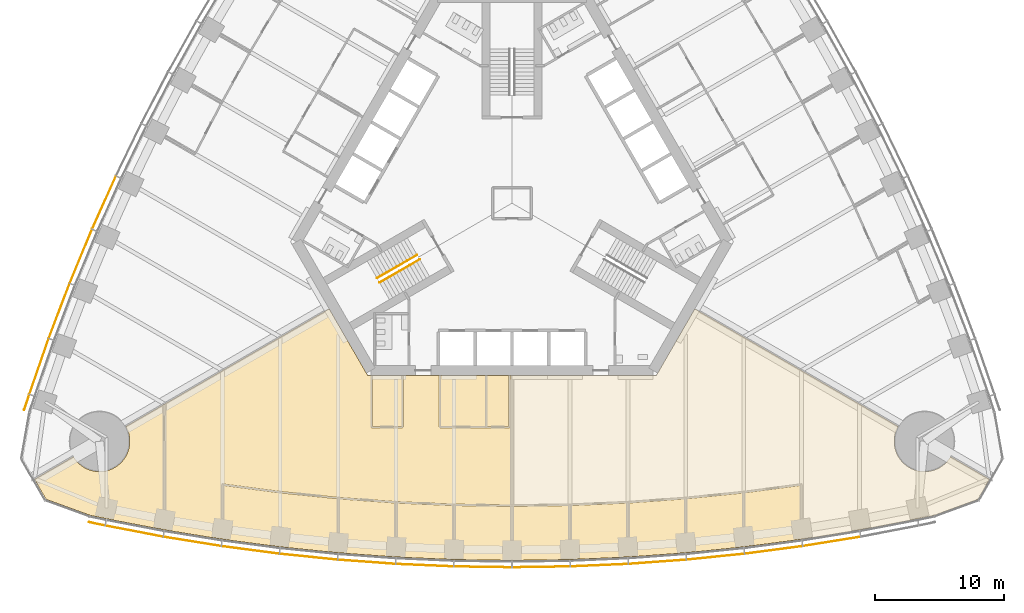
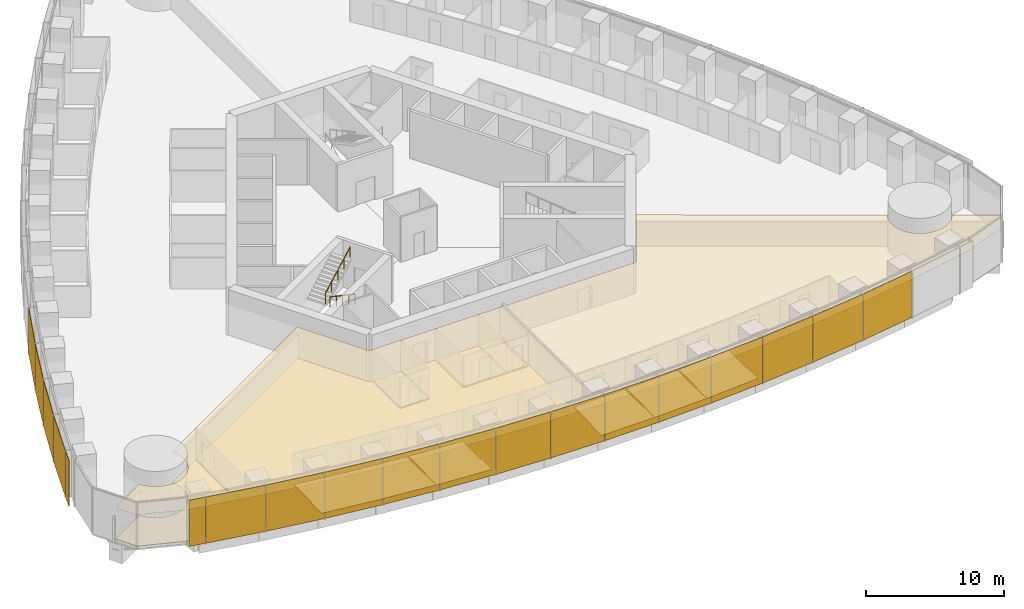
# One storey, part 15 of 19: 19 shading devices, 15 coverings, 2 railings.
"""IFC4 building model written with IfcOpenShell, lengths in metres."""

from ifc_helpers import new_model, si_unit, direction, frame, origin, origin_2d, place, context, subcontext, project, spatial, polyline, rectangle, circle, outline, extrude, material, layer, layer_set, type_object, element, save


model = new_model("IFC4")

# Units and contexts
model_context = context("Model", 3, precision=1e-05, world=origin(), true_north=direction((0.0, 1.0)))
body_context = subcontext(model_context, "Body", "Model", "MODEL_VIEW")
ifc_project = project(units=[si_unit("LENGTHUNIT", "METRE"), si_unit("AREAUNIT", "SQUARE_METRE"), si_unit("VOLUMEUNIT", "CUBIC_METRE"), si_unit("PLANEANGLEUNIT", "RADIAN"), si_unit("MASSUNIT", "GRAM", prefix="KILO")], contexts=[model_context])

# Site, building, storey
site_placement = place(None, origin())
site = spatial("IfcSite", under=ifc_project, at=site_placement, CompositionType="ELEMENT")
building_placement = place(site_placement, origin())
building = spatial("IfcBuilding", under=site, at=building_placement, Name="Trefoil Bronze Tower", CompositionType="ELEMENT")
storey_placement = place(building_placement, frame((0.0, 0.0, 16.5)))
storey = spatial("IfcBuildingStorey", under=building, at=storey_placement, Name="L03", CompositionType="ELEMENT", Elevation=16.5)

# Shading devices
ifc_material_1 = material(Name="Perforated bronze sheet", Category="bronze")
ifc_layer_1 = layer(ifc_material_1, 0.0400390625)
ifc_layer_set_1 = layer_set([ifc_layer_1], Name="Bronze solar screen panel")
shading_device_type = type_object("IfcShadingDeviceType", Name="Bronze solar screen panel", PredefinedType="SHUTTER", material=ifc_layer_set_1)
shading_device_1_placement = place(storey_placement, frame((-32.2431640625, -24.91064453125, 0.050048828125), z_axis=(0.0, 0.0, 1.0), x_axis=(0.978302717041, -0.207180582657, 0.0)))
element("IfcShadingDevice", 1, at=shading_device_1_placement, inside=storey, type_object=shading_device_type, Name="Solar screen CW-A L03 F1 bay 1", PredefinedType="SHUTTER", context=body_context, shape_type="SweptSolid", body=[
    extrude(rectangle(XDim=1.260498046875, YDim=0.0400390625, at=origin_2d()), origin(), (0.0, 0.0, 1.0), 4.10009765625),
])
shading_device_2_placement = place(storey_placement, frame((-29.351806640625, -25.478515625, 0.050048828125), z_axis=(0.0, 0.0, 1.0), x_axis=(0.982049823817, -0.188621694249, 0.0)))
element("IfcShadingDevice", 2, at=shading_device_2_placement, inside=storey, type_object=shading_device_type, Name="Solar screen CW-A L03 F1 bay 2", PredefinedType="SHUTTER", context=body_context, shape_type="SweptSolid", body=[
    extrude(rectangle(XDim=4.55224609375, YDim=0.0400390625, at=origin_2d()), origin(), (0.0, 0.0, 1.0), 4.10009765625),
])
shading_device_3_placement = place(storey_placement, frame((-24.836181640625, -26.277099609375, 0.050048828125), z_axis=(0.0, 0.0, 1.0), x_axis=(0.987181315145, -0.159602791421, 0.0)))
element("IfcShadingDevice", 3, at=shading_device_3_placement, inside=storey, type_object=shading_device_type, Name="Solar screen CW-A L03 F1 bay 3", PredefinedType="SHUTTER", context=body_context, shape_type="SweptSolid", body=[
    extrude(rectangle(XDim=4.5283203125, YDim=0.0400390625, at=origin_2d()), origin(), (0.0, 0.0, 1.0), 4.10009765625),
])
shading_device_4_placement = place(storey_placement, frame((-20.320556640625, -26.939697265625, 0.050048828125), z_axis=(0.0, 0.0, 1.0), x_axis=(0.991437251591, -0.130583981243, 0.0)))
element("IfcShadingDevice", 4, at=shading_device_4_placement, inside=storey, type_object=shading_device_type, Name="Solar screen CW-A L03 F1 bay 4", PredefinedType="SHUTTER", context=body_context, shape_type="SweptSolid", body=[
    extrude(rectangle(XDim=4.5087890625, YDim=0.0400390625, at=origin_2d()), origin(), (0.0, 0.0, 1.0), 4.10009765625),
])
shading_device_5_placement = place(storey_placement, frame((-15.804931640625, -27.467529296875, 0.050048828125), z_axis=(0.0, 0.0, 1.0), x_axis=(0.994828880293, -0.101565244717, 0.0)))
element("IfcShadingDevice", 5, at=shading_device_5_placement, inside=storey, type_object=shading_device_type, Name="Solar screen CW-A L03 F1 bay 5", PredefinedType="SHUTTER", context=body_context, shape_type="SweptSolid", body=[
    extrude(rectangle(XDim=4.493408203125, YDim=0.0400390625, at=origin_2d()), origin(), (0.0, 0.0, 1.0), 4.10009765625),
])
shading_device_6_placement = place(storey_placement, frame((-11.2890625, -27.8623046875, 0.050048828125), z_axis=(0.0, 0.0, 1.0), x_axis=(0.99736502647, -0.072546564177, 0.0)))
element("IfcShadingDevice", 6, at=shading_device_6_placement, inside=storey, type_object=shading_device_type, Name="Solar screen CW-A L03 F1 bay 6", PredefinedType="SHUTTER", context=body_context, shape_type="SweptSolid", body=[
    extrude(rectangle(XDim=4.48193359375, YDim=0.0400390625, at=origin_2d()), origin(), (0.0, 0.0, 1.0), 4.10009765625),
])
shading_device_7_placement = place(storey_placement, frame((-6.7734375, -28.124755859375, 0.050048828125), z_axis=(0.0, 0.0, 1.0), x_axis=(0.999052210809, -0.043527922969, 0.0)))
element("IfcShadingDevice", 7, at=shading_device_7_placement, inside=storey, type_object=shading_device_type, Name="Solar screen CW-A L03 F1 bay 7", PredefinedType="SHUTTER", context=body_context, shape_type="SweptSolid", body=[
    extrude(rectangle(XDim=4.474365234375, YDim=0.0400390625, at=origin_2d()), origin(), (0.0, 0.0, 1.0), 4.10009765625),
])
for number, where, z_axis, x_axis, name in (
    (8, (-2.2578125, -28.256103515625, 0.050048828125), (0.0, 0.0, 1.0), (0.999894734493, -0.014509305083, 0.0), "Solar screen CW-A L03 F1 bay 8"),
    (9, (2.2578125, -28.256103515625, 0.050048828125), (0.0, 0.0, 1.0), (0.999894734493, 0.014509305083, 0.0), "Solar screen CW-A L03 F1 bay 9"),
):
    element("IfcShadingDevice", number, at=place(storey_placement, frame(where, z_axis=z_axis, x_axis=x_axis)), inside=storey, type_object=shading_device_type, Name=name, PredefinedType="SHUTTER", context=body_context, shape_type="SweptSolid", body=[
        extrude(rectangle(XDim=4.470458984375, YDim=0.0400390625, at=origin_2d()), origin(), (0.0, 0.0, 1.0), 4.10009765625),
    ])
shading_device_8_placement = place(storey_placement, frame((6.7734375, -28.124755859375, 0.050048828125), z_axis=(0.0, 0.0, 1.0), x_axis=(0.999052210809, 0.043527922969, 0.0)))
element("IfcShadingDevice", 10, at=shading_device_8_placement, inside=storey, type_object=shading_device_type, Name="Solar screen CW-A L03 F1 bay 10", PredefinedType="SHUTTER", context=body_context, shape_type="SweptSolid", body=[
    extrude(rectangle(XDim=4.474365234375, YDim=0.0400390625, at=origin_2d()), origin(), (0.0, 0.0, 1.0), 4.10009765625),
])
shading_device_9_placement = place(storey_placement, frame((11.2890625, -27.8623046875, 0.050048828125), z_axis=(0.0, 0.0, 1.0), x_axis=(0.99736502647, 0.072546564177, 0.0)))
element("IfcShadingDevice", 11, at=shading_device_9_placement, inside=storey, type_object=shading_device_type, Name="Solar screen CW-A L03 F1 bay 11", PredefinedType="SHUTTER", context=body_context, shape_type="SweptSolid", body=[
    extrude(rectangle(XDim=4.48193359375, YDim=0.0400390625, at=origin_2d()), origin(), (0.0, 0.0, 1.0), 4.10009765625),
])
shading_device_10_placement = place(storey_placement, frame((15.804931640625, -27.467529296875, 0.050048828125), z_axis=(0.0, 0.0, 1.0), x_axis=(0.994828880293, 0.101565244717, 0.0)))
element("IfcShadingDevice", 12, at=shading_device_10_placement, inside=storey, type_object=shading_device_type, Name="Solar screen CW-A L03 F1 bay 12", PredefinedType="SHUTTER", context=body_context, shape_type="SweptSolid", body=[
    extrude(rectangle(XDim=4.493408203125, YDim=0.0400390625, at=origin_2d()), origin(), (0.0, 0.0, 1.0), 4.10009765625),
])
shading_device_11_placement = place(storey_placement, frame((20.320556640625, -26.939697265625, 0.050048828125), z_axis=(0.0, 0.0, 1.0), x_axis=(0.991437251591, 0.130583981243, 0.0)))
element("IfcShadingDevice", 13, at=shading_device_11_placement, inside=storey, type_object=shading_device_type, Name="Solar screen CW-A L03 F1 bay 13", PredefinedType="SHUTTER", context=body_context, shape_type="SweptSolid", body=[
    extrude(rectangle(XDim=4.5087890625, YDim=0.0400390625, at=origin_2d()), origin(), (0.0, 0.0, 1.0), 4.10009765625),
])
shading_device_12_placement = place(storey_placement, frame((24.836181640625, -26.277099609375, 0.050048828125), z_axis=(0.0, 0.0, 1.0), x_axis=(0.987181315145, 0.159602791421, 0.0)))
element("IfcShadingDevice", 14, at=shading_device_12_placement, inside=storey, type_object=shading_device_type, Name="Solar screen CW-A L03 F1 bay 14", PredefinedType="SHUTTER", context=body_context, shape_type="SweptSolid", body=[
    extrude(rectangle(XDim=4.5283203125, YDim=0.0400390625, at=origin_2d()), origin(), (0.0, 0.0, 1.0), 4.10009765625),
])
shading_device_13_placement = place(storey_placement, frame((-31.68994140625, 0.04638671875, 0.050048828125), z_axis=(0.0, 0.0, 1.0), x_axis=(-0.40945635808, -0.912329705111, 0.0)))
element("IfcShadingDevice", 15, at=shading_device_13_placement, inside=storey, type_object=shading_device_type, Name="Solar screen CW-A L03 F3 bay 12", PredefinedType="SHUTTER", context=body_context, shape_type="SweptSolid", body=[
    extrude(rectangle(XDim=4.493408203125, YDim=0.0400390625, at=origin_2d()), origin(), (0.0, 0.0, 1.0), 4.10009765625),
])
shading_device_14_placement = place(storey_placement, frame((-33.49072265625, -4.128173828125, 0.050048828125), z_axis=(0.0, 0.0, 1.0), x_axis=(-0.382629580712, -0.923901836758, 0.0)))
element("IfcShadingDevice", 16, at=shading_device_14_placement, inside=storey, type_object=shading_device_type, Name="Solar screen CW-A L03 F3 bay 13", PredefinedType="SHUTTER", context=body_context, shape_type="SweptSolid", body=[
    extrude(rectangle(XDim=4.5087890625, YDim=0.0400390625, at=origin_2d()), origin(), (0.0, 0.0, 1.0), 4.10009765625),
])
shading_device_15_placement = place(storey_placement, frame((-35.1748046875, -8.3701171875, 0.050048828125), z_axis=(0.0, 0.0, 1.0), x_axis=(-0.355370585687, -0.934725492767, 0.0)))
element("IfcShadingDevice", 17, at=shading_device_15_placement, inside=storey, type_object=shading_device_type, Name="Solar screen CW-A L03 F3 bay 14", PredefinedType="SHUTTER", context=body_context, shape_type="SweptSolid", body=[
    extrude(rectangle(XDim=4.5283203125, YDim=0.0400390625, at=origin_2d()), origin(), (0.0, 0.0, 1.0), 4.10009765625),
])
shading_device_16_placement = place(storey_placement, frame((-36.740966796875, -12.68017578125, 0.050048828125), z_axis=(0.0, 0.0, 1.0), x_axis=(-0.327673732984, -0.944790942332, 0.0)))
element("IfcShadingDevice", 18, at=shading_device_16_placement, inside=storey, type_object=shading_device_type, Name="Solar screen CW-A L03 F3 bay 15", PredefinedType="SHUTTER", context=body_context, shape_type="SweptSolid", body=[
    extrude(rectangle(XDim=4.55224609375, YDim=0.0400390625, at=origin_2d()), origin(), (0.0, 0.0, 1.0), 4.10009765625),
])
shading_device_17_placement = place(storey_placement, frame((-37.69482421875, -15.468017578125, 0.050048828125), z_axis=(0.0, 0.0, 1.0), x_axis=(-0.309727710769, -0.950825296877, 0.0)))
element("IfcShadingDevice", 19, at=shading_device_17_placement, inside=storey, type_object=shading_device_type, Name="Solar screen CW-A L03 F3 bay 16", PredefinedType="SHUTTER", context=body_context, shape_type="SweptSolid", body=[
    extrude(rectangle(XDim=1.260498046875, YDim=0.0400390625, at=origin_2d()), origin(), (0.0, 0.0, 1.0), 4.10009765625),
])

# Railings
ifc_material_2 = material(Name="Steel handrail", Category="steel")
railing_type = type_object("IfcRailingType", Name="Handrail 900", PredefinedType="HANDRAIL", material=ifc_material_2)
railing_1_placement = place(storey_placement, frame((-7.166015625, -4.3681640625, 0.16162109375)))
element("IfcRailing", 20, at=railing_1_placement, inside=storey, type_object=railing_type, Name="Handrail ST3 flight 1 L03", PredefinedType="HANDRAIL", context=body_context, shape_type="SweptSolid", body=[
    extrude(circle(Radius=0.02392578125, at=origin_2d()), frame((0.0, 0.0, 0.8759765625), z_axis=(-0.76250339821, -0.440245697338, 0.474101564745), x_axis=(0.500012057535, -0.866018442252, 0.0)), (0.0, 0.0, 1.0), 4.088623046875),
    extrude(circle(Radius=0.02099609375, at=origin_2d()), origin(), (0.0, 0.0, 1.0), 0.851806640625),
    extrude(circle(Radius=0.02099609375, at=origin_2d()), frame((-0.779296875, -0.449951171875, 0.484619140625)), (0.0, 0.0, 1.0), 0.851806640625),
    extrude(circle(Radius=0.02099609375, at=origin_2d()), frame((-1.558837890625, -0.89990234375, 0.96923828125)), (0.0, 0.0, 1.0), 0.851806640625),
    extrude(circle(Radius=0.02099609375, at=origin_2d()), frame((-2.33837890625, -1.35009765625, 1.453857421875)), (0.0, 0.0, 1.0), 0.851806640625),
    extrude(circle(Radius=0.02099609375, at=origin_2d()), frame((-3.11767578125, -1.800048828125, 1.9384765625)), (0.0, 0.0, 1.0), 0.851806640625),
])
railing_2_placement = place(storey_placement, frame((-10.483642578125, -5.82177734375, 2.261474609375)))
element("IfcRailing", 21, at=railing_2_placement, inside=storey, type_object=railing_type, Name="Handrail ST3 flight 2 L03", PredefinedType="HANDRAIL", context=body_context, shape_type="SweptSolid", body=[
    extrude(circle(Radius=0.02392578125, at=origin_2d()), frame((0.0, 0.0, 0.8759765625), z_axis=(0.76250339821, 0.440245697338, 0.474101564745), x_axis=(-0.500012057535, 0.866018442252, 0.0)), (0.0, 0.0, 1.0), 4.088623046875),
    extrude(circle(Radius=0.02099609375, at=origin_2d()), origin(), (0.0, 0.0, 1.0), 0.851806640625),
    extrude(circle(Radius=0.02099609375, at=origin_2d()), frame((0.779296875, 0.449951171875, 0.484619140625)), (0.0, 0.0, 1.0), 0.851806640625),
    extrude(circle(Radius=0.02099609375, at=origin_2d()), frame((1.558837890625, 0.89990234375, 0.96923828125)), (0.0, 0.0, 1.0), 0.851806640625),
    extrude(circle(Radius=0.02099609375, at=origin_2d()), frame((2.33837890625, 1.35009765625, 1.453857421875)), (0.0, 0.0, 1.0), 0.851806640625),
    extrude(circle(Radius=0.02099609375, at=origin_2d()), frame((3.11767578125, 1.800048828125, 1.9384765625)), (0.0, 0.0, 1.0), 0.851806640625),
])

# Coverings
ifc_material_3 = material(Name="Acoustic ceiling panels", Category="mineral fibre")
ifc_layer_2 = layer(ifc_material_3, 0.02001953125)
ifc_layer_set_2 = layer_set([ifc_layer_2], Name="Office ceiling 20")
covering_type_1 = type_object("IfcCoveringType", Name="Office ceiling 20", PredefinedType="CEILING", material=ifc_layer_set_2)
covering_1_placement = place(storey_placement, frame((0.0, 0.0, 2.89990234375)))
element("IfcCovering", 22, at=covering_1_placement, inside=storey, type_object=covering_type_1, Name="Ceiling L03 Open-plan office F1", PredefinedType="CEILING", context=body_context, shape_type="SweptSolid", body=[
    extrude(outline(polyline([(-33.996826171875, -19.8056640625), (-33.930419921875, -19.89990234375), (-33.859619140625, -19.99072265625), (-33.7841796875, -20.078125), (-33.70458984375, -20.16162109375), (-33.62109375, -20.2412109375), (-33.53369140625, -20.316650390625), (-33.44287109375, -20.387451171875), (-33.348388671875, -20.4541015625), (-33.251220703125, -20.515625), (-33.150634765625, -20.572509765625), (-33.047607421875, -20.62451171875), (-32.942138671875, -20.671142578125), (-32.834716796875, -20.712646484375), (-32.72509765625, -20.748779296875), (-32.614013671875, -20.779541015625), (-32.50146484375, -20.8046875), (-32.3876953125, -20.82470703125), (-32.273193359375, -20.838623046875), (-32.158203125, -20.84716796875), (-32.04296875, -20.85009765625), (-31.927490234375, -20.84716796875), (-31.8125, -20.838623046875), (-31.697998046875, -20.82470703125), (-31.58447265625, -20.8046875), (-31.471923828125, -20.779541015625), (-31.36083984375, -20.748779296875), (-31.251220703125, -20.712646484375), (-31.1435546875, -20.671142578125), (-31.0380859375, -20.62451171875), (-30.935302734375, -20.572509765625), (-30.834716796875, -20.515625), (-30.7373046875, -20.4541015625), (-30.64306640625, -20.387451171875), (-30.552001953125, -20.316650390625), (-30.46484375, -20.2412109375), (-30.381103515625, -20.16162109375), (-30.3017578125, -20.078125), (-30.226318359375, -19.99072265625), (-30.155517578125, -19.89990234375), (-30.089111328125, -19.8056640625), (-30.02734375, -19.7080078125), (-29.970458984375, -19.60791015625), (-29.918701171875, -19.5048828125), (-29.871826171875, -19.3994140625), (-29.830322265625, -19.291748046875), (-29.794189453125, -19.18212890625), (-29.763427734375, -19.071044921875), (-29.738037109375, -18.95849609375), (-29.718505859375, -18.8447265625), (-29.704345703125, -18.730224609375), (-29.69580078125, -18.615234375), (-29.69287109375, -18.5), (-29.69580078125, -18.384765625), (-29.704345703125, -18.269775390625), (-29.718505859375, -18.1552734375), (-29.738037109375, -18.04150390625), (-29.763427734375, -17.928955078125), (-29.794189453125, -17.81787109375), (-29.830322265625, -17.708251953125), (-29.871826171875, -17.6005859375), (-29.918701171875, -17.4951171875), (-29.970458984375, -17.39208984375), (-30.001953125, -17.336669921875), (-14.19970703125, -8.205322265625), (-11.20068359375, -13.39990234375), (11.20068359375, -13.39990234375), (14.19970703125, -8.205322265625), (30.001953125, -17.336669921875), (29.970458984375, -17.39208984375), (29.918701171875, -17.4951171875), (29.871826171875, -17.6005859375), (29.830322265625, -17.708251953125), (29.794189453125, -17.81787109375), (29.763427734375, -17.928955078125), (29.738037109375, -18.04150390625), (29.718505859375, -18.1552734375), (29.704345703125, -18.269775390625), (29.69580078125, -18.384765625), (29.69287109375, -18.5), (29.69580078125, -18.615234375), (29.704345703125, -18.730224609375), (29.718505859375, -18.8447265625), (29.738037109375, -18.95849609375), (29.763427734375, -19.071044921875), (29.794189453125, -19.18212890625), (29.830322265625, -19.291748046875), (29.871826171875, -19.3994140625), (29.918701171875, -19.5048828125), (29.970458984375, -19.60791015625), (30.02734375, -19.7080078125), (30.089111328125, -19.8056640625), (30.155517578125, -19.89990234375), (30.226318359375, -19.99072265625), (30.3017578125, -20.078125), (30.381103515625, -20.16162109375), (30.46484375, -20.2412109375), (30.552001953125, -20.316650390625), (30.64306640625, -20.387451171875), (30.7373046875, -20.4541015625), (30.834716796875, -20.515625), (30.935302734375, -20.572509765625), (31.0380859375, -20.62451171875), (31.1435546875, -20.671142578125), (31.251220703125, -20.712646484375), (31.36083984375, -20.748779296875), (31.471923828125, -20.779541015625), (31.58447265625, -20.8046875), (31.697998046875, -20.82470703125), (31.8125, -20.838623046875), (31.927490234375, -20.84716796875), (32.04296875, -20.85009765625), (32.158203125, -20.84716796875), (32.273193359375, -20.838623046875), (32.3876953125, -20.82470703125), (32.50146484375, -20.8046875), (32.614013671875, -20.779541015625), (32.72509765625, -20.748779296875), (32.834716796875, -20.712646484375), (32.942138671875, -20.671142578125), (33.047607421875, -20.62451171875), (33.150634765625, -20.572509765625), (33.251220703125, -20.515625), (33.348388671875, -20.4541015625), (33.44287109375, -20.387451171875), (33.53369140625, -20.316650390625), (33.62109375, -20.2412109375), (33.70458984375, -20.16162109375), (33.7841796875, -20.078125), (33.859619140625, -19.99072265625), (33.930419921875, -19.89990234375), (33.996826171875, -19.8056640625), (34.0703125, -19.6875), (37.094482421875, -21.43505859375), (36.190673828125, -23.0009765625), (32.762451171875, -24.248779296875), (31.5, -24.51611328125), (27.0, -25.38037109375), (22.5, -26.10791015625), (18.0, -26.70068359375), (13.5, -27.159912109375), (9.0, -27.4873046875), (4.5, -27.683349609375), (0.0, -27.748779296875), (-4.5, -27.683349609375), (-9.0, -27.4873046875), (-13.5, -27.159912109375), (-18.0, -26.70068359375), (-22.5, -26.10791015625), (-27.0, -25.38037109375), (-31.5, -24.51611328125), (-32.762451171875, -24.248779296875), (-36.190673828125, -23.0009765625), (-37.094482421875, -21.43505859375), (-34.0703125, -19.6875), (-33.996826171875, -19.8056640625)])), origin(), (0.0, 0.0, 1.0), 0.02001953125),
])
ifc_material_4 = material(Name="Raised access floor panels", Category="steel")
ifc_layer_3 = layer(ifc_material_4, 0.050048828125)
ifc_layer_set_3 = layer_set([ifc_layer_3], Name="Raised access floor 150")
covering_type_2 = type_object("IfcCoveringType", Name="Raised access floor 150", PredefinedType="FLOORING", material=ifc_layer_set_3)
covering_2_placement = place(storey_placement, frame((0.0, 0.0, 0.10009765625)))
element("IfcCovering", 23, at=covering_2_placement, inside=storey, type_object=covering_type_2, Name="Raised floor L03 Kitchen and breakout F1", PredefinedType="FLOORING", context=body_context, shape_type="SweptSolid", body=[
    extrude(outline(polyline([(-30.001953125, -17.336669921875), (-27.0, -15.60205078125), (-27.0, -15.652099609375), (-27.06005859375, -15.652099609375), (-27.06005859375, -23.77587890625), (-27.0, -23.77587890625), (-27.0, -25.38037109375), (-31.5, -24.51611328125), (-32.762451171875, -24.248779296875), (-36.190673828125, -23.0009765625), (-37.094482421875, -21.43505859375), (-34.0703125, -19.6875), (-33.996826171875, -19.8056640625), (-33.930419921875, -19.89990234375), (-33.859619140625, -19.99072265625), (-33.7841796875, -20.078125), (-33.70458984375, -20.16162109375), (-33.62109375, -20.2412109375), (-33.53369140625, -20.316650390625), (-33.44287109375, -20.387451171875), (-33.348388671875, -20.4541015625), (-33.251220703125, -20.515625), (-33.150634765625, -20.572509765625), (-33.047607421875, -20.62451171875), (-32.942138671875, -20.671142578125), (-32.834716796875, -20.712646484375), (-32.72509765625, -20.748779296875), (-32.614013671875, -20.779541015625), (-32.50146484375, -20.8046875), (-32.3876953125, -20.82470703125), (-32.273193359375, -20.838623046875), (-32.158203125, -20.84716796875), (-32.04296875, -20.85009765625), (-31.927490234375, -20.84716796875), (-31.8125, -20.838623046875), (-31.697998046875, -20.82470703125), (-31.58447265625, -20.8046875), (-31.471923828125, -20.779541015625), (-31.36083984375, -20.748779296875), (-31.251220703125, -20.712646484375), (-31.1435546875, -20.671142578125), (-31.0380859375, -20.62451171875), (-30.935302734375, -20.572509765625), (-30.834716796875, -20.515625), (-30.7373046875, -20.4541015625), (-30.64306640625, -20.387451171875), (-30.552001953125, -20.316650390625), (-30.46484375, -20.2412109375), (-30.381103515625, -20.16162109375), (-30.3017578125, -20.078125), (-30.226318359375, -19.99072265625), (-30.155517578125, -19.89990234375), (-30.089111328125, -19.8056640625), (-30.02734375, -19.7080078125), (-29.970458984375, -19.60791015625), (-29.918701171875, -19.5048828125), (-29.871826171875, -19.3994140625), (-29.830322265625, -19.291748046875), (-29.794189453125, -19.18212890625), (-29.763427734375, -19.071044921875), (-29.738037109375, -18.95849609375), (-29.718505859375, -18.8447265625), (-29.704345703125, -18.730224609375), (-29.69580078125, -18.615234375), (-29.69287109375, -18.5), (-29.69580078125, -18.384765625), (-29.704345703125, -18.269775390625), (-29.718505859375, -18.1552734375), (-29.738037109375, -18.04150390625), (-29.763427734375, -17.928955078125), (-29.794189453125, -17.81787109375), (-29.830322265625, -17.708251953125), (-29.871826171875, -17.6005859375), (-29.918701171875, -17.4951171875), (-29.970458984375, -17.39208984375), (-30.001953125, -17.336669921875)])), origin(), (0.0, 0.0, 1.0), 0.0498046875),
])
covering_3_placement = place(storey_placement, frame((0.0, 0.0, 0.10009765625)))
element("IfcCovering", 24, at=covering_3_placement, inside=storey, type_object=covering_type_2, Name="Raised floor L03 Meeting room F1", PredefinedType="FLOORING", context=body_context, shape_type="SweptSolid", body=[
    extrude(outline(polyline([(-2.06005859375, -13.39990234375), (-2.06005859375, -17.340087890625), (-5.5400390625, -17.340087890625), (-5.5400390625, -13.39990234375), (-2.06005859375, -13.39990234375)])), origin(), (0.0, 0.0, 1.0), 0.0498046875),
])
covering_4_placement = place(storey_placement, frame((0.0, 0.0, 0.10009765625)))
element("IfcCovering", 25, at=covering_4_placement, inside=storey, type_object=covering_type_2, Name="Raised floor L03 Phone room F1", PredefinedType="FLOORING", context=body_context, shape_type="SweptSolid", body=[
    extrude(outline(polyline([(-0.260009765625, -13.39990234375), (-0.260009765625, -17.340087890625), (-1.93994140625, -17.340087890625), (-1.93994140625, -13.39990234375), (-0.260009765625, -13.39990234375)])), origin(), (0.0, 0.0, 1.0), 0.0498046875),
])
covering_5_placement = place(storey_placement, frame((0.0, 0.0, 0.10009765625)))
element("IfcCovering", 26, at=covering_5_placement, inside=storey, type_object=covering_type_2, Name="Raised floor L03 Print and store room F1", PredefinedType="FLOORING", context=body_context, shape_type="SweptSolid", body=[
    extrude(outline(polyline([(-8.56005859375, -13.39990234375), (-8.56005859375, -17.340087890625), (-10.840087890625, -17.340087890625), (-10.840087890625, -13.39990234375), (-8.56005859375, -13.39990234375)])), origin(), (0.0, 0.0, 1.0), 0.0498046875),
])
covering_6_placement = place(storey_placement, frame((0.0, 0.0, 0.10009765625)))
element("IfcCovering", 27, at=covering_6_placement, inside=storey, type_object=covering_type_2, Name="Raised floor L03 Members' lounge F1", PredefinedType="FLOORING", context=body_context, shape_type="SweptSolid", body=[
    extrude(outline(polyline([(-18.0, -26.70068359375), (-22.5, -26.10791015625), (-22.5, -24.510986328125), (-22.43994140625, -24.510986328125), (-22.43994140625, -21.92626953125), (-18.0078125, -22.510009765625), (-18.0, -22.45068359375), (-18.006103515625, -22.51025390625), (-13.56005859375, -22.964111328125), (-13.56005859375, -25.573974609375), (-13.5, -25.573974609375), (-13.5, -27.159912109375), (-18.0, -26.70068359375)])), origin(), (0.0, 0.0, 1.0), 0.0498046875),
])
covering_7_placement = place(storey_placement, frame((0.0, 0.0, 0.10009765625)))
element("IfcCovering", 28, at=covering_7_placement, inside=storey, type_object=covering_type_2, Name="Raised floor L03 Office F1", PredefinedType="FLOORING", context=body_context, shape_type="SweptSolid", body=[
    extrude(outline(polyline([(-9.0, -27.4873046875), (-13.5, -27.159912109375), (-13.5, -25.573974609375), (-13.43994140625, -25.573974609375), (-13.43994140625, -22.974609375), (-9.06005859375, -23.293212890625), (-9.06005859375, -25.90478515625), (-9.0, -25.90478515625), (-9.0, -27.4873046875)])), origin(), (0.0, 0.0, 1.0), 0.0498046875),
])
covering_8_placement = place(storey_placement, frame((0.0, 0.0, 0.10009765625)))
element("IfcCovering", 29, at=covering_8_placement, inside=storey, type_object=covering_type_2, Name="Raised floor L03 Office F1", PredefinedType="FLOORING", context=body_context, shape_type="SweptSolid", body=[
    extrude(outline(polyline([(-4.5, -27.683349609375), (-9.0, -27.4873046875), (-9.0, -25.90478515625), (-8.93994140625, -25.90478515625), (-8.93994140625, -23.300048828125), (-4.56005859375, -23.490966796875), (-4.56005859375, -26.102783203125), (-4.5, -26.102783203125), (-4.5, -27.683349609375)])), origin(), (0.0, 0.0, 1.0), 0.0498046875),
])
covering_9_placement = place(storey_placement, frame((0.0, 0.0, 0.10009765625)))
element("IfcCovering", 30, at=covering_9_placement, inside=storey, type_object=covering_type_2, Name="Raised floor L03 Office F1", PredefinedType="FLOORING", context=body_context, shape_type="SweptSolid", body=[
    extrude(outline(polyline([(0.0, -27.748779296875), (-4.5, -27.683349609375), (-4.5, -26.102783203125), (-4.43994140625, -26.102783203125), (-4.43994140625, -23.494384765625), (-0.074951171875, -23.5576171875), (-0.074951171875, -26.168701171875), (0.0, -26.168701171875), (0.0, -27.748779296875)])), origin(), (0.0, 0.0, 1.0), 0.0498046875),
])
covering_10_placement = place(storey_placement, frame((0.0, 0.0, 0.10009765625)))
element("IfcCovering", 31, at=covering_10_placement, inside=storey, type_object=covering_type_2, Name="Raised floor L03 Office F1", PredefinedType="FLOORING", context=body_context, shape_type="SweptSolid", body=[
    extrude(outline(polyline([(4.5, -27.683349609375), (0.0, -27.748779296875), (0.0, -26.168701171875), (0.074951171875, -26.168701171875), (0.074951171875, -23.5576171875), (4.43994140625, -23.494384765625), (4.43994140625, -26.102783203125), (4.5, -26.102783203125), (4.5, -27.683349609375)])), origin(), (0.0, 0.0, 1.0), 0.0498046875),
])
covering_11_placement = place(storey_placement, frame((0.0, 0.0, 0.10009765625)))
element("IfcCovering", 32, at=covering_11_placement, inside=storey, type_object=covering_type_2, Name="Raised floor L03 Office F1", PredefinedType="FLOORING", context=body_context, shape_type="SweptSolid", body=[
    extrude(outline(polyline([(9.0, -27.4873046875), (4.5, -27.683349609375), (4.5, -26.102783203125), (4.56005859375, -26.102783203125), (4.56005859375, -23.490966796875), (8.93994140625, -23.300048828125), (8.93994140625, -25.90478515625), (9.0, -25.90478515625), (9.0, -27.4873046875)])), origin(), (0.0, 0.0, 1.0), 0.0498046875),
])
covering_12_placement = place(storey_placement, frame((0.0, 0.0, 0.10009765625)))
element("IfcCovering", 33, at=covering_12_placement, inside=storey, type_object=covering_type_2, Name="Raised floor L03 Office F1", PredefinedType="FLOORING", context=body_context, shape_type="SweptSolid", body=[
    extrude(outline(polyline([(13.5, -27.159912109375), (9.0, -27.4873046875), (9.0, -25.90478515625), (9.06005859375, -25.90478515625), (9.06005859375, -23.293212890625), (13.43994140625, -22.974609375), (13.43994140625, -25.573974609375), (13.5, -25.573974609375), (13.5, -27.159912109375)])), origin(), (0.0, 0.0, 1.0), 0.0498046875),
])
covering_13_placement = place(storey_placement, frame((0.0, 0.0, 0.10009765625)))
element("IfcCovering", 34, at=covering_13_placement, inside=storey, type_object=covering_type_2, Name="Raised floor L03 Office F1", PredefinedType="FLOORING", context=body_context, shape_type="SweptSolid", body=[
    extrude(outline(polyline([(18.0, -26.70068359375), (13.5, -27.159912109375), (13.5, -25.573974609375), (13.56005859375, -25.573974609375), (13.56005859375, -22.964111328125), (17.93994140625, -22.51708984375), (17.93994140625, -25.10986328125), (18.0, -25.10986328125), (18.0, -26.70068359375)])), origin(), (0.0, 0.0, 1.0), 0.0498046875),
])
covering_14_placement = place(storey_placement, frame((0.0, 0.0, 0.10009765625)))
element("IfcCovering", 35, at=covering_14_placement, inside=storey, type_object=covering_type_2, Name="Raised floor L03 Office F1", PredefinedType="FLOORING", context=body_context, shape_type="SweptSolid", body=[
    extrude(outline(polyline([(22.5, -26.10791015625), (18.0, -26.70068359375), (18.0, -25.10986328125), (18.06005859375, -25.10986328125), (18.06005859375, -22.503173828125), (22.43994140625, -21.92626953125), (22.43994140625, -24.510986328125), (22.5, -24.510986328125), (22.5, -26.10791015625)])), origin(), (0.0, 0.0, 1.0), 0.0498046875),
])
covering_15_placement = place(storey_placement, frame((0.0, 0.0, 0.10009765625)))
element("IfcCovering", 36, at=covering_15_placement, inside=storey, type_object=covering_type_2, Name="Raised floor L03 Open-plan office F1", PredefinedType="FLOORING", context=body_context, shape_type="SweptSolid", body=[
    extrude(outline(polyline([(-14.19970703125, -8.205322265625), (-11.20068359375, -13.39990234375), (-10.9599609375, -13.39990234375), (-10.9599609375, -17.39990234375), (-10.89990234375, -17.39990234375), (-10.89990234375, -17.4599609375), (-8.5, -17.4599609375), (-8.5, -17.39990234375), (-8.43994140625, -17.39990234375), (-8.43994140625, -13.39990234375), (-5.659912109375, -13.39990234375), (-5.659912109375, -17.39990234375), (-5.60009765625, -17.39990234375), (-5.60009765625, -17.4599609375), (-0.199951171875, -17.4599609375), (-0.199951171875, -17.39990234375), (-0.139892578125, -17.39990234375), (-0.139892578125, -13.39990234375), (-0.0009765625, -13.39990234375), (-0.0009765625, -13.409912109375), (-0.074951171875, -13.409912109375), (-0.074951171875, -23.4375), (-4.498291015625, -23.373291015625), (-8.99658203125, -23.177490234375), (-13.494873046875, -22.850341796875), (-17.572509765625, -22.433837890625), (-18.41357421875, -22.335693359375), (-22.4921875, -21.79833984375), (-22.5, -21.85791015625), (-22.56005859375, -21.85791015625), (-22.56005859375, -24.510986328125), (-22.5, -24.510986328125), (-22.5, -26.10791015625), (-27.0, -25.38037109375), (-27.0, -23.77587890625), (-26.93994140625, -23.77587890625), (-26.93994140625, -15.652099609375), (-27.0, -15.652099609375), (-27.0, -15.60205078125), (-14.19970703125, -8.205322265625)])), origin(), (0.0, 0.0, 1.0), 0.0498046875),
])

save(model, "model.ifc")
